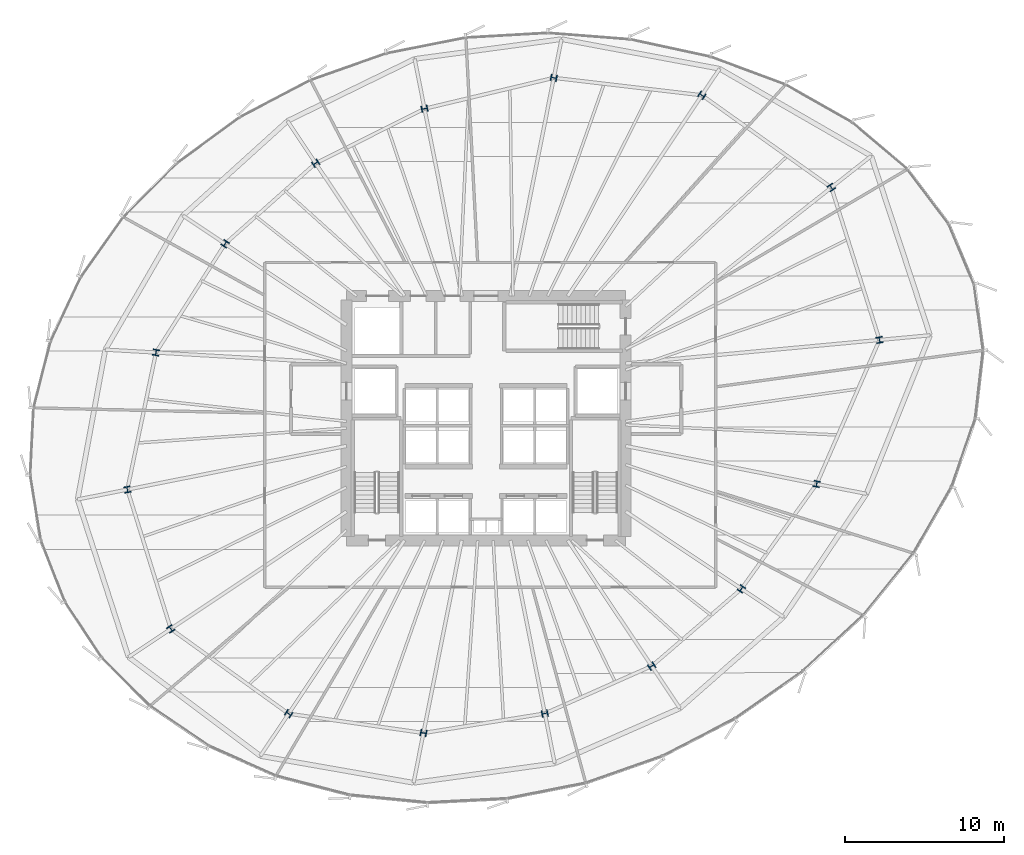
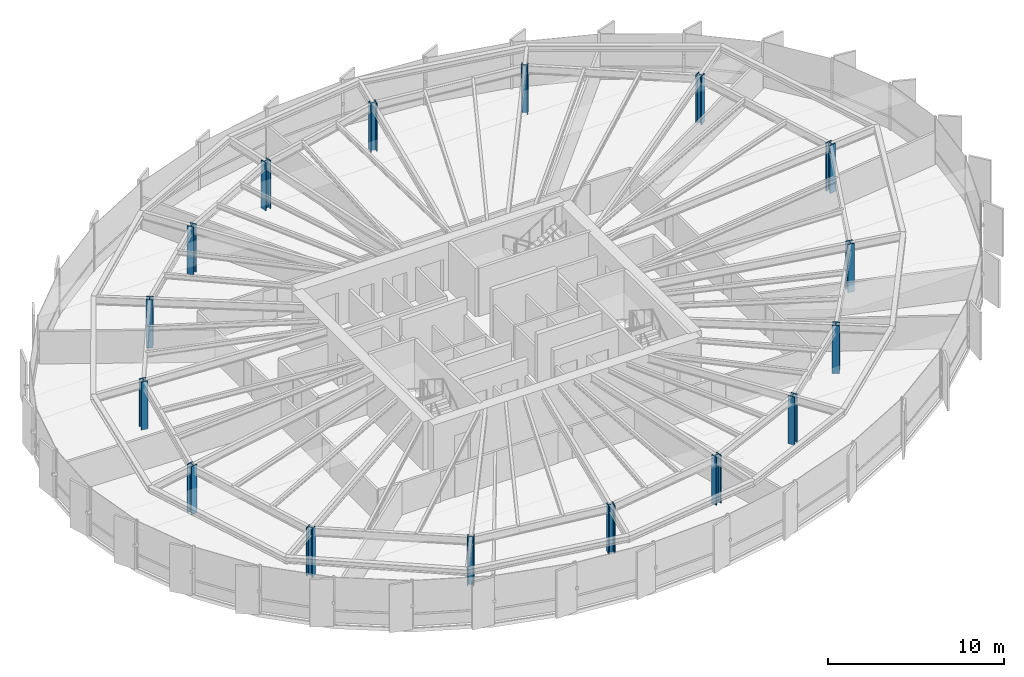
# One storey, part 1 of 35: 16 columns.
"""IFC4 building model written with IfcOpenShell, lengths in metres."""

from ifc_helpers import new_model, si_unit, direction, frame, origin, origin_2d, place, context, subcontext, project, spatial, i_section, extrude, source, transform, mapped, material, material_profile, profile_set, type_object, element, save


model = new_model("IFC4")

# Units and contexts
model_context = context("Model", 3, precision=1e-05, world=origin(), true_north=direction((0.0, 1.0)))
body_context = subcontext(model_context, "Body", "Model", "MODEL_VIEW")
ifc_project = project(units=[si_unit("LENGTHUNIT", "METRE"), si_unit("AREAUNIT", "SQUARE_METRE"), si_unit("VOLUMEUNIT", "CUBIC_METRE"), si_unit("PLANEANGLEUNIT", "RADIAN"), si_unit("MASSUNIT", "GRAM", prefix="KILO"), si_unit("THERMODYNAMICTEMPERATUREUNIT", "KELVIN")], contexts=[model_context])

# Site, building, storey
site_placement = place(None, origin())
site = spatial("IfcSite", under=ifc_project, at=site_placement, CompositionType="ELEMENT")
building_placement = place(site_placement, origin())
building = spatial("IfcBuilding", under=site, at=building_placement, Name="Kethvar Cultural Tower", CompositionType="ELEMENT")
storey_placement = place(building_placement, frame((0.0, 0.0, 96.39990234375)))
storey = spatial("IfcBuildingStorey", under=building, at=storey_placement, Name="L23", CompositionType="ELEMENT", Elevation=96.39990234375)

# Columns
ifc_material = material(Name="Steel S460M", Category="steel")
ifc_material_profile = material_profile(ifc_material, i_section(OverallWidth=0.405029296875, OverallDepth=0.39794921875, WebThickness=0.034912109375, FlangeThickness=0.055908203125, FilletRadius=0.014892578125, at=origin_2d()), Name="Steel S460M — HD400x744")
ifc_profile_set = profile_set([ifc_material_profile], Name="Steel S460M — HD400x744")
column_type = type_object("IfcColumnType", Name="COL-HD744", PredefinedType="COLUMN", material=ifc_profile_set)
shared_shape = source(origin(), body_context, "Body", "SweptSolid", [
    extrude(i_section(OverallWidth=0.405029296875, OverallDepth=0.39794921875, WebThickness=0.034912109375, FlangeThickness=0.055908203125, FilletRadius=0.014892578125, at=origin_2d()), origin(), (0.0, 0.0, 1.0), 3.35009765625),
])
for number, where, z_axis, x_axis, name in (
    (1, (71.6025390625, 32.7333984375, 0.0), (0.0, 0.0, 1.0), (0.980785280403, 0.195090322016, 0.0), "L23 Mega-Column MC-01"),
    (2, (68.568603515625, 42.34521484375, 0.0), (0.0, 0.0, 1.0), (0.831469612303, 0.55557023302, 0.0), "L23 Mega-Column MC-02"),
    (3, (60.40478515625, 48.160888671875, 0.0), (0.0, 0.0, 1.0), (0.55557023302, 0.831469612303, 0.0), "L23 Mega-Column MC-03"),
    (4, (51.068603515625, 49.25927734375, 0.0), (0.0, 0.0, 1.0), (0.195090322016, 0.980785280403, 0.0), "L23 Mega-Column MC-04"),
    (5, (42.9189453125, 47.311279296875, 0.0), (0.0, 0.0, 1.0), (-0.195090322016, 0.980785280403, 0.0), "L23 Mega-Column MC-05"),
    (6, (36.0576171875, 43.877197265625, 0.0), (0.0, 0.0, 1.0), (-0.55557023302, 0.831469612303, 0.0), "L23 Mega-Column MC-06"),
    (7, (30.345947265625, 38.794189453125, 0.0), (0.0, 0.0, 1.0), (-0.831469612303, 0.55557023302, 0.0), "L23 Mega-Column MC-07"),
    (8, (25.988525390625, 31.939697265625, 0.0), (0.0, 0.0, 1.0), (-0.980785280403, 0.195090322016, 0.0), "L23 Mega-Column MC-08"),
    (9, (24.185302734375, 23.3017578125, 0.0), (0.0, 0.0, 1.0), (-0.980785280403, -0.195090322016, 0.0), "L23 Mega-Column MC-09"),
    (10, (26.920654296875, 14.51708984375, 0.0), (0.0, 0.0, 1.0), (-0.831469612303, -0.55557023302, 0.0), "L23 Mega-Column MC-10"),
    (11, (34.350830078125, 9.16845703125, 0.0), (0.0, 0.0, 1.0), (-0.55557023302, -0.831469612303, 0.0), "L23 Mega-Column MC-11"),
    (12, (42.852294921875, 7.95361328125, 0.0), (0.0, 0.0, 1.0), (-0.195090322016, -0.980785280403, 0.0), "L23 Mega-Column MC-12"),
    (13, (50.50341796875, 9.182373046875, 0.0), (0.0, 0.0, 1.0), (0.195090322016, -0.980785280403, 0.0), "L23 Mega-Column MC-13"),
    (14, (57.241943359375, 12.17236328125, 0.0), (0.0, 0.0, 1.0), (0.55557023302, -0.831469612303, 0.0), "L23 Mega-Column MC-14"),
    (15, (62.898681640625, 17.043212890625, 0.0), (0.0, 0.0, 1.0), (0.831469612303, -0.55557023302, 0.0), "L23 Mega-Column MC-15"),
    (16, (67.638671875, 23.65478515625, 0.0), (0.0, 0.0, 1.0), (0.980785280403, -0.195090322016, 0.0), "L23 Mega-Column MC-16"),
):
    element("IfcColumn", number, at=place(storey_placement, frame(where, z_axis=z_axis, x_axis=x_axis)), inside=storey, type_object=column_type, Name=name, PredefinedType="COLUMN", context=body_context, shape_type="MappedRepresentation", body=[
        mapped(shared_shape, transform((0.0, 0.0, 0.0), scale=1.0)),
    ])

save(model, "model.ifc")
